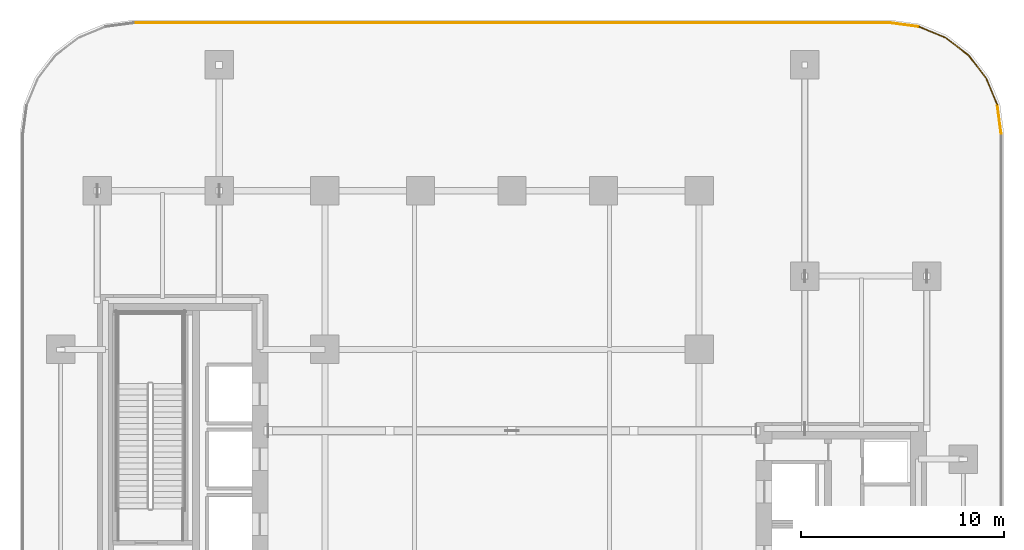
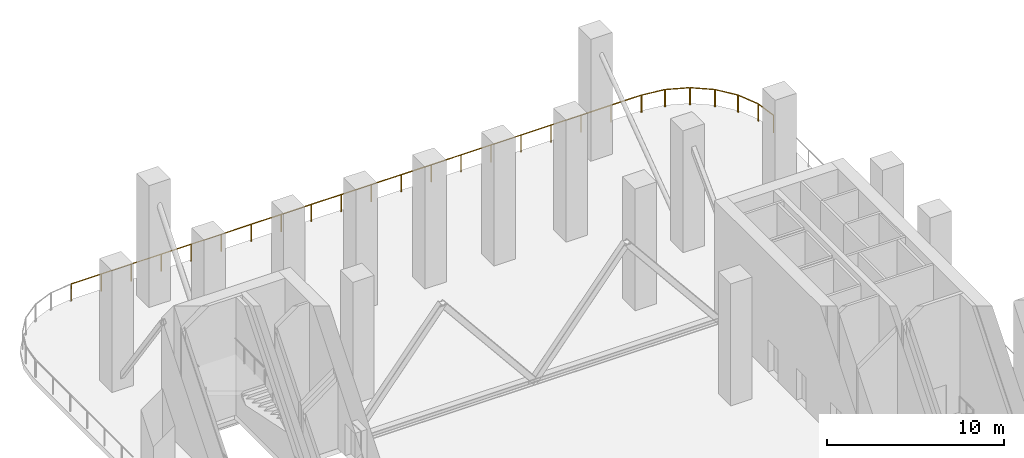
# One storey, part 13 of 13: 7 railings.
"""IFC4 building model written with IfcOpenShell, lengths in metres."""

from ifc_helpers import new_model, si_unit, direction, frame, origin, origin_2d, place, context, subcontext, project, spatial, circle, extrude, material, type_object, element, save


model = new_model("IFC4")

# Units and contexts
model_context = context("Model", 3, precision=1e-05, world=origin(), true_north=direction((0.0, 1.0)))
body_context = subcontext(model_context, "Body", "Model", "MODEL_VIEW")
ifc_project = project(units=[si_unit("LENGTHUNIT", "METRE"), si_unit("AREAUNIT", "SQUARE_METRE"), si_unit("VOLUMEUNIT", "CUBIC_METRE"), si_unit("PLANEANGLEUNIT", "RADIAN"), si_unit("MASSUNIT", "GRAM", prefix="KILO")], contexts=[model_context])

# Site, building, storey
site_placement = place(None, origin())
site = spatial("IfcSite", under=ifc_project, at=site_placement, CompositionType="ELEMENT")
building_placement = place(site_placement, origin())
building = spatial("IfcBuilding", under=site, at=building_placement, Name="Khairoan Windgate Tower", CompositionType="ELEMENT")
storey_placement = place(building_placement, frame((0.0, 0.0, 84.800048828125)))
storey = spatial("IfcBuildingStorey", under=building, at=storey_placement, Name="L20", CompositionType="ELEMENT", Elevation=84.800048828125)

# Railings
ifc_material = material(Name="Anodised Bronze Aluminium 6063-T6", Category="aluminium")
railing_type = type_object("IfcRailingType", Name="Aerodynamic Bronze-and-Glass Balustrade BAL-1200", PredefinedType="BALUSTRADE", material=ifc_material)
railing_1_placement = place(storey_placement, frame((-18.56591796875, 26.860107421875, 0.0)))
element("IfcRailing", 1, at=railing_1_placement, inside=storey, type_object=railing_type, Name="L20 Wind-Slot Portal Perimeter Balustrade 15", PredefinedType="BALUSTRADE", context=body_context, shape_type="SweptSolid", body=[
    extrude(circle(Radius=0.02392578125, at=origin_2d()), frame((0.0, 0.0, 1.17578125), z_axis=(1.0, 0.0, 0.0), x_axis=(0.0, 1.0, 0.0)), (0.0, 0.0, 1.0), 37.1318359375),
    extrude(circle(Radius=0.02099609375, at=origin_2d()), origin(), (0.0, 0.0, 1.0), 1.15185546875),
    extrude(circle(Radius=0.02099609375, at=origin_2d()), frame((1.954345703125, 0.0, 0.0)), (0.0, 0.0, 1.0), 1.15185546875),
    extrude(circle(Radius=0.02099609375, at=origin_2d()), frame((3.90869140625, 0.0, 0.0)), (0.0, 0.0, 1.0), 1.15185546875),
    extrude(circle(Radius=0.02099609375, at=origin_2d()), frame((5.863037109375, 0.0, 0.0)), (0.0, 0.0, 1.0), 1.15185546875),
    extrude(circle(Radius=0.02099609375, at=origin_2d()), frame((7.817138671875, 0.0, 0.0)), (0.0, 0.0, 1.0), 1.15185546875),
    extrude(circle(Radius=0.02099609375, at=origin_2d()), frame((9.771484375, 0.0, 0.0)), (0.0, 0.0, 1.0), 1.15185546875),
    extrude(circle(Radius=0.02099609375, at=origin_2d()), frame((11.725830078125, 0.0, 0.0)), (0.0, 0.0, 1.0), 1.15185546875),
    extrude(circle(Radius=0.02099609375, at=origin_2d()), frame((13.68017578125, 0.0, 0.0)), (0.0, 0.0, 1.0), 1.15185546875),
    extrude(circle(Radius=0.02099609375, at=origin_2d()), frame((15.634521484375, 0.0, 0.0)), (0.0, 0.0, 1.0), 1.15185546875),
    extrude(circle(Radius=0.02099609375, at=origin_2d()), frame((17.5888671875, 0.0, 0.0)), (0.0, 0.0, 1.0), 1.15185546875),
    extrude(circle(Radius=0.02099609375, at=origin_2d()), frame((19.54296875, 0.0, 0.0)), (0.0, 0.0, 1.0), 1.15185546875),
    extrude(circle(Radius=0.02099609375, at=origin_2d()), frame((21.497314453125, 0.0, 0.0)), (0.0, 0.0, 1.0), 1.15185546875),
    extrude(circle(Radius=0.02099609375, at=origin_2d()), frame((23.45166015625, 0.0, 0.0)), (0.0, 0.0, 1.0), 1.15185546875),
    extrude(circle(Radius=0.02099609375, at=origin_2d()), frame((25.406005859375, 0.0, 0.0)), (0.0, 0.0, 1.0), 1.15185546875),
    extrude(circle(Radius=0.02099609375, at=origin_2d()), frame((27.3603515625, 0.0, 0.0)), (0.0, 0.0, 1.0), 1.15185546875),
    extrude(circle(Radius=0.02099609375, at=origin_2d()), frame((29.314697265625, 0.0, 0.0)), (0.0, 0.0, 1.0), 1.15185546875),
    extrude(circle(Radius=0.02099609375, at=origin_2d()), frame((31.268798828125, 0.0, 0.0)), (0.0, 0.0, 1.0), 1.15185546875),
    extrude(circle(Radius=0.02099609375, at=origin_2d()), frame((33.22314453125, 0.0, 0.0)), (0.0, 0.0, 1.0), 1.15185546875),
    extrude(circle(Radius=0.02099609375, at=origin_2d()), frame((35.177490234375, 0.0, 0.0)), (0.0, 0.0, 1.0), 1.15185546875),
    extrude(circle(Radius=0.02099609375, at=origin_2d()), frame((37.1318359375, 0.0, 0.0)), (0.0, 0.0, 1.0), 1.15185546875),
])
railing_2_placement = place(storey_placement, frame((18.615478515625, 26.856689453125, 0.0)))
element("IfcRailing", 2, at=railing_2_placement, inside=storey, type_object=railing_type, Name="L20 Wind-Slot Portal Perimeter Balustrade 16", PredefinedType="BALUSTRADE", context=body_context, shape_type="SweptSolid", body=[
    extrude(circle(Radius=0.02392578125, at=origin_2d()), frame((0.0, 0.0, 1.17578125), z_axis=(0.991448292058, -0.130500130936, 0.0), x_axis=(0.130500130936, 0.991448292058, 0.0)), (0.0, 0.0, 1.0), 1.38427734375),
    extrude(circle(Radius=0.02099609375, at=origin_2d()), origin(), (0.0, 0.0, 1.0), 1.15185546875),
    extrude(circle(Radius=0.02099609375, at=origin_2d()), frame((1.37255859375, -0.1806640625, 0.0)), (0.0, 0.0, 1.0), 1.15185546875),
])
railing_3_placement = place(storey_placement, frame((20.035888671875, 26.6630859375, 0.0)))
element("IfcRailing", 3, at=railing_3_placement, inside=storey, type_object=railing_type, Name="L20 Wind-Slot Portal Perimeter Balustrade 17", PredefinedType="BALUSTRADE", context=body_context, shape_type="SweptSolid", body=[
    extrude(circle(Radius=0.02392578125, at=origin_2d()), frame((0.0, 0.0, 1.17578125), z_axis=(0.923915142674, -0.382597450512, 0.0), x_axis=(0.382597450512, 0.923915142674, 0.0)), (0.0, 0.0, 1.0), 1.375244140625),
    extrude(circle(Radius=0.02099609375, at=origin_2d()), origin(), (0.0, 0.0, 1.0), 1.15185546875),
    extrude(circle(Radius=0.02099609375, at=origin_2d()), frame((1.2705078125, -0.526123046875, 0.0)), (0.0, 0.0, 1.0), 1.15185546875),
])
railing_4_placement = place(storey_placement, frame((21.34912109375, 26.1123046875, 0.0)))
element("IfcRailing", 4, at=railing_4_placement, inside=storey, type_object=railing_type, Name="L20 Wind-Slot Portal Perimeter Balustrade 18", PredefinedType="BALUSTRADE", context=body_context, shape_type="SweptSolid", body=[
    extrude(circle(Radius=0.02392578125, at=origin_2d()), frame((0.0, 0.0, 1.17578125), z_axis=(0.793369142529, -0.608740834578, 0.0), x_axis=(0.608740834578, 0.793369142529, 0.0)), (0.0, 0.0, 1.0), 1.375244140625),
    extrude(circle(Radius=0.02099609375, at=origin_2d()), origin(), (0.0, 0.0, 1.0), 1.15185546875),
    extrude(circle(Radius=0.02099609375, at=origin_2d()), frame((1.091064453125, -0.837158203125, 0.0)), (0.0, 0.0, 1.0), 1.15185546875),
])
railing_5_placement = place(storey_placement, frame((22.47509765625, 25.240234375, 0.0)))
element("IfcRailing", 5, at=railing_5_placement, inside=storey, type_object=railing_type, Name="L20 Wind-Slot Portal Perimeter Balustrade 19", PredefinedType="BALUSTRADE", context=body_context, shape_type="SweptSolid", body=[
    extrude(circle(Radius=0.02392578125, at=origin_2d()), frame((0.0, 0.0, 1.17578125), z_axis=(0.608740834578, -0.793369142529, 0.0), x_axis=(0.793369142529, 0.608740834578, 0.0)), (0.0, 0.0, 1.0), 1.375244140625),
    extrude(circle(Radius=0.02099609375, at=origin_2d()), origin(), (0.0, 0.0, 1.0), 1.15185546875),
    extrude(circle(Radius=0.02099609375, at=origin_2d()), frame((0.837158203125, -1.091064453125, 0.0)), (0.0, 0.0, 1.0), 1.15185546875),
])
railing_6_placement = place(storey_placement, frame((23.3369140625, 24.106201171875, 0.0)))
element("IfcRailing", 6, at=railing_6_placement, inside=storey, type_object=railing_type, Name="L20 Wind-Slot Portal Perimeter Balustrade 20", PredefinedType="BALUSTRADE", context=body_context, shape_type="SweptSolid", body=[
    extrude(circle(Radius=0.02392578125, at=origin_2d()), frame((0.0, 0.0, 1.17578125), z_axis=(0.382811769845, -0.923826362943, 0.0), x_axis=(0.923826362943, 0.382811769845, 0.0)), (0.0, 0.0, 1.0), 1.375),
    extrude(circle(Radius=0.02099609375, at=origin_2d()), origin(), (0.0, 0.0, 1.0), 1.15185546875),
    extrude(circle(Radius=0.02099609375, at=origin_2d()), frame((0.5263671875, -1.270263671875, 0.0)), (0.0, 0.0, 1.0), 1.15185546875),
])
railing_7_placement = place(storey_placement, frame((23.876220703125, 22.7880859375, 0.0)))
element("IfcRailing", 7, at=railing_7_placement, inside=storey, type_object=railing_type, Name="L20 Wind-Slot Portal Perimeter Balustrade 21", PredefinedType="BALUSTRADE", context=body_context, shape_type="SweptSolid", body=[
    extrude(circle(Radius=0.02392578125, at=origin_2d()), frame((0.0, 0.0, 1.17578125), z_axis=(0.130326776743, -0.991471094518, 0.0), x_axis=(0.991471094518, 0.130326776743, 0.0)), (0.0, 0.0, 1.0), 1.38427734375),
    extrude(circle(Radius=0.02099609375, at=origin_2d()), origin(), (0.0, 0.0, 1.0), 1.15185546875),
    extrude(circle(Radius=0.02099609375, at=origin_2d()), frame((0.180419921875, -1.37255859375, 0.0)), (0.0, 0.0, 1.0), 1.15185546875),
])

save(model, "model.ifc")
